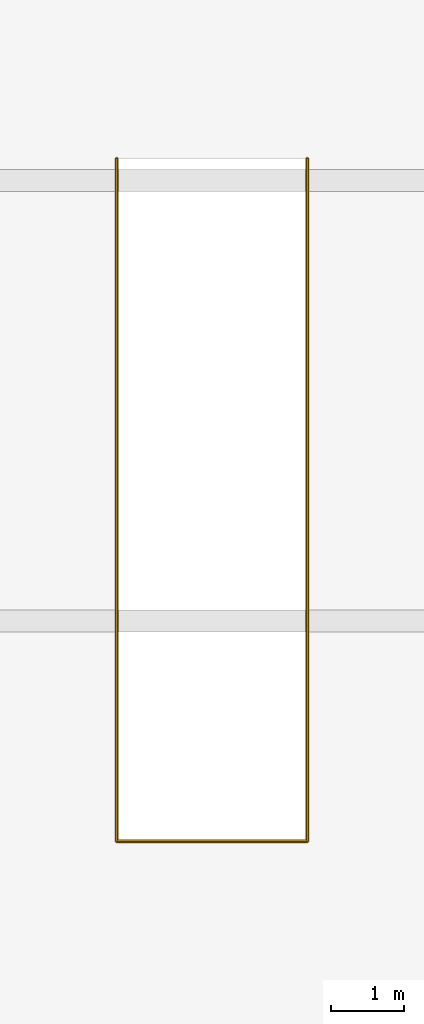
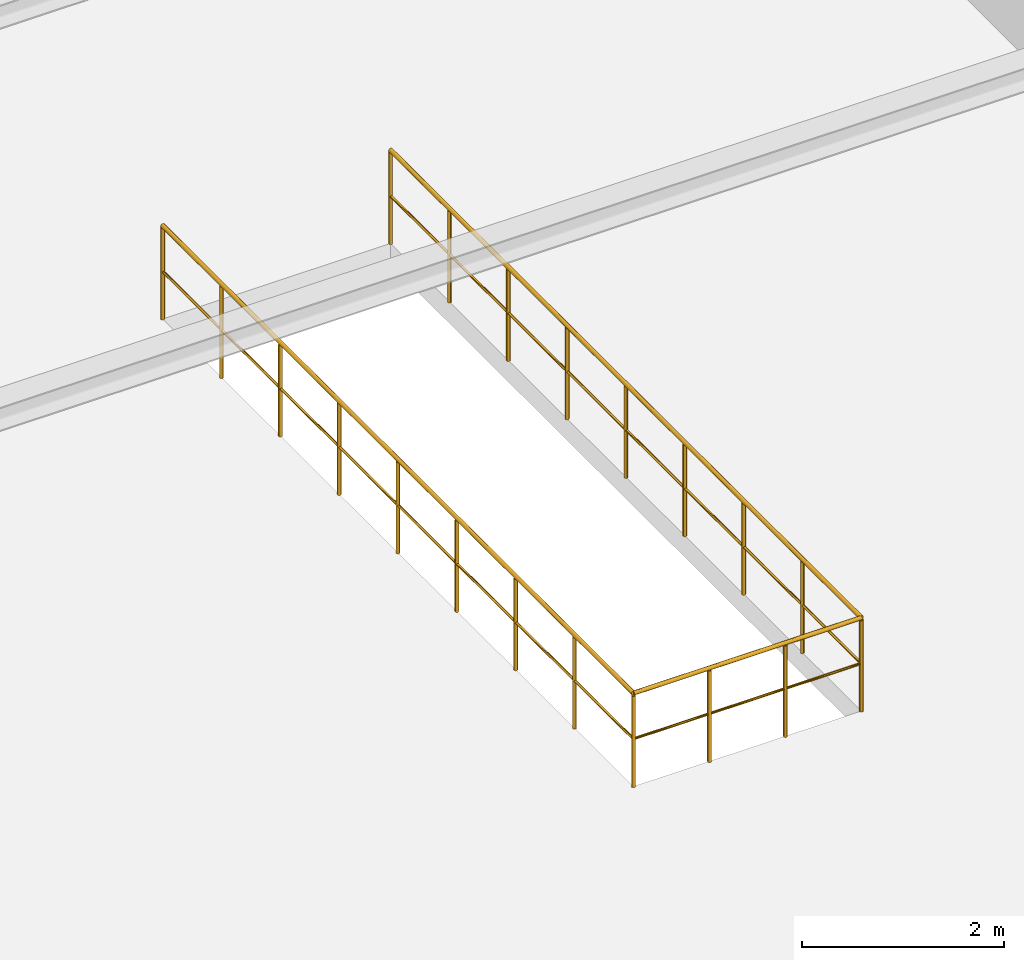
# One storey, part 95 of 97: 1 railing.
"""IFC4 building model written with IfcOpenShell, lengths in metres."""

from ifc_helpers import new_model, si_unit, derived_unit, direction, frame, origin, origin_2d, place, context, subcontext, project, spatial, circle, extrude, material, type_object, element, save


model = new_model("IFC4")

# Units and contexts
model_context = context("Model", 3, precision=1e-05, world=origin(), true_north=direction((0.0, 1.0)))
body_context = subcontext(model_context, "Body", "Model", "MODEL_VIEW")
ifc_project = project(units=[si_unit("LENGTHUNIT", "METRE"), si_unit("AREAUNIT", "SQUARE_METRE"), si_unit("VOLUMEUNIT", "CUBIC_METRE"), si_unit("PLANEANGLEUNIT", "RADIAN"), si_unit("MASSUNIT", "GRAM", prefix="KILO"), derived_unit("THERMALTRANSMITTANCEUNIT", [(si_unit("POWERUNIT", "WATT"), 1), (si_unit("LENGTHUNIT", "METRE"), -2), (si_unit("THERMODYNAMICTEMPERATUREUNIT", "KELVIN"), -1)])], contexts=[model_context])

# Site, building, storey
site_placement = place(None, origin())
site = spatial("IfcSite", under=ifc_project, at=site_placement, CompositionType="ELEMENT")
building_placement = place(site_placement, origin())
building = spatial("IfcBuilding", under=site, at=building_placement, Name="Almenara Railside Exhibition Hall", CompositionType="ELEMENT")
storey_placement = place(building_placement, frame((0.0, 0.0, 10.800048828125)))
storey = spatial("IfcBuildingStorey", under=building, at=storey_placement, Name="L02", CompositionType="ELEMENT", Elevation=10.800048828125)

# Railing
ifc_material = material(Name="Bronze-capped laminated glass balustrade", Category="glass")
railing_type = type_object("IfcRailingType", Name="Gallery Overlook Glazed Balustrade 1150mm", PredefinedType="BALUSTRADE", material=ifc_material)
railing_placement = place(storey_placement, frame((74.199951171875, 102.300048828125, 0.0)))
element("IfcRailing", 1, at=railing_placement, inside=storey, type_object=railing_type, Name="Guard balustrade 0030", PredefinedType="BALUSTRADE", context=body_context, shape_type="SweptSolid", body=[
    extrude(circle(Radius=0.02392578125, at=origin_2d()), frame((0.0, 0.0, 1.1259765625), z_axis=(0.0, -1.0, 0.0), x_axis=(1.0, 0.0, 0.0)), (0.0, 0.0, 1.0), 9.300048828125),
    extrude(circle(Radius=0.01416015625, at=origin_2d()), frame((0.0, 0.0, 0.574951171875), z_axis=(0.0, -1.0, 0.0), x_axis=(1.0, 0.0, 0.0)), (0.0, 0.0, 1.0), 9.300048828125),
    extrude(circle(Radius=0.02392578125, at=origin_2d()), frame((0.0, -9.300048828125, 1.1259765625), z_axis=(1.0, 0.0, 0.0), x_axis=(0.0, 1.0, 0.0)), (0.0, 0.0, 1.0), 2.60009765625),
    extrude(circle(Radius=0.01416015625, at=origin_2d()), frame((0.0, -9.300048828125, 0.574951171875), z_axis=(1.0, 0.0, 0.0), x_axis=(0.0, 1.0, 0.0)), (0.0, 0.0, 1.0), 2.60009765625),
    extrude(circle(Radius=0.02392578125, at=origin_2d()), frame((2.60009765625, -9.300048828125, 1.1259765625), z_axis=(0.0, 1.0, 0.0), x_axis=(-1.0, 0.0, 0.0)), (0.0, 0.0, 1.0), 9.300048828125),
    extrude(circle(Radius=0.01416015625, at=origin_2d()), frame((2.60009765625, -9.300048828125, 0.574951171875), z_axis=(0.0, 1.0, 0.0), x_axis=(-1.0, 0.0, 0.0)), (0.0, 0.0, 1.0), 9.300048828125),
    extrude(circle(Radius=0.02099609375, at=origin_2d()), origin(), (0.0, 0.0, 1.0), 1.101806640625),
    extrude(circle(Radius=0.02099609375, at=origin_2d()), frame((0.0, -1.16259765625, 0.0)), (0.0, 0.0, 1.0), 1.101806640625),
    extrude(circle(Radius=0.02099609375, at=origin_2d()), frame((0.0, -2.324951171875, 0.0)), (0.0, 0.0, 1.0), 1.101806640625),
    extrude(circle(Radius=0.02099609375, at=origin_2d()), frame((0.0, -3.487548828125, 0.0)), (0.0, 0.0, 1.0), 1.101806640625),
    extrude(circle(Radius=0.02099609375, at=origin_2d()), frame((0.0, -4.64990234375, 0.0)), (0.0, 0.0, 1.0), 1.101806640625),
    extrude(circle(Radius=0.02099609375, at=origin_2d()), frame((0.0, -5.8125, 0.0)), (0.0, 0.0, 1.0), 1.101806640625),
    extrude(circle(Radius=0.02099609375, at=origin_2d()), frame((0.0, -6.97509765625, 0.0)), (0.0, 0.0, 1.0), 1.101806640625),
    extrude(circle(Radius=0.02099609375, at=origin_2d()), frame((0.0, -8.137451171875, 0.0)), (0.0, 0.0, 1.0), 1.101806640625),
    extrude(circle(Radius=0.02099609375, at=origin_2d()), frame((0.0, -9.300048828125, 0.0)), (0.0, 0.0, 1.0), 1.101806640625),
    extrude(circle(Radius=0.02099609375, at=origin_2d()), frame((0.86669921875, -9.300048828125, 0.0)), (0.0, 0.0, 1.0), 1.101806640625),
    extrude(circle(Radius=0.02099609375, at=origin_2d()), frame((1.7333984375, -9.300048828125, 0.0)), (0.0, 0.0, 1.0), 1.101806640625),
    extrude(circle(Radius=0.02099609375, at=origin_2d()), frame((2.60009765625, -9.300048828125, 0.0)), (0.0, 0.0, 1.0), 1.101806640625),
    extrude(circle(Radius=0.02099609375, at=origin_2d()), frame((2.60009765625, -8.137451171875, 0.0)), (0.0, 0.0, 1.0), 1.101806640625),
    extrude(circle(Radius=0.02099609375, at=origin_2d()), frame((2.60009765625, -6.97509765625, 0.0)), (0.0, 0.0, 1.0), 1.101806640625),
    extrude(circle(Radius=0.02099609375, at=origin_2d()), frame((2.60009765625, -5.8125, 0.0)), (0.0, 0.0, 1.0), 1.101806640625),
    extrude(circle(Radius=0.02099609375, at=origin_2d()), frame((2.60009765625, -4.64990234375, 0.0)), (0.0, 0.0, 1.0), 1.101806640625),
    extrude(circle(Radius=0.02099609375, at=origin_2d()), frame((2.60009765625, -3.487548828125, 0.0)), (0.0, 0.0, 1.0), 1.101806640625),
    extrude(circle(Radius=0.02099609375, at=origin_2d()), frame((2.60009765625, -2.324951171875, 0.0)), (0.0, 0.0, 1.0), 1.101806640625),
    extrude(circle(Radius=0.02099609375, at=origin_2d()), frame((2.60009765625, -1.16259765625, 0.0)), (0.0, 0.0, 1.0), 1.101806640625),
    extrude(circle(Radius=0.02099609375, at=origin_2d()), frame((2.60009765625, 0.0, 0.0)), (0.0, 0.0, 1.0), 1.101806640625),
])

save(model, "model.ifc")
